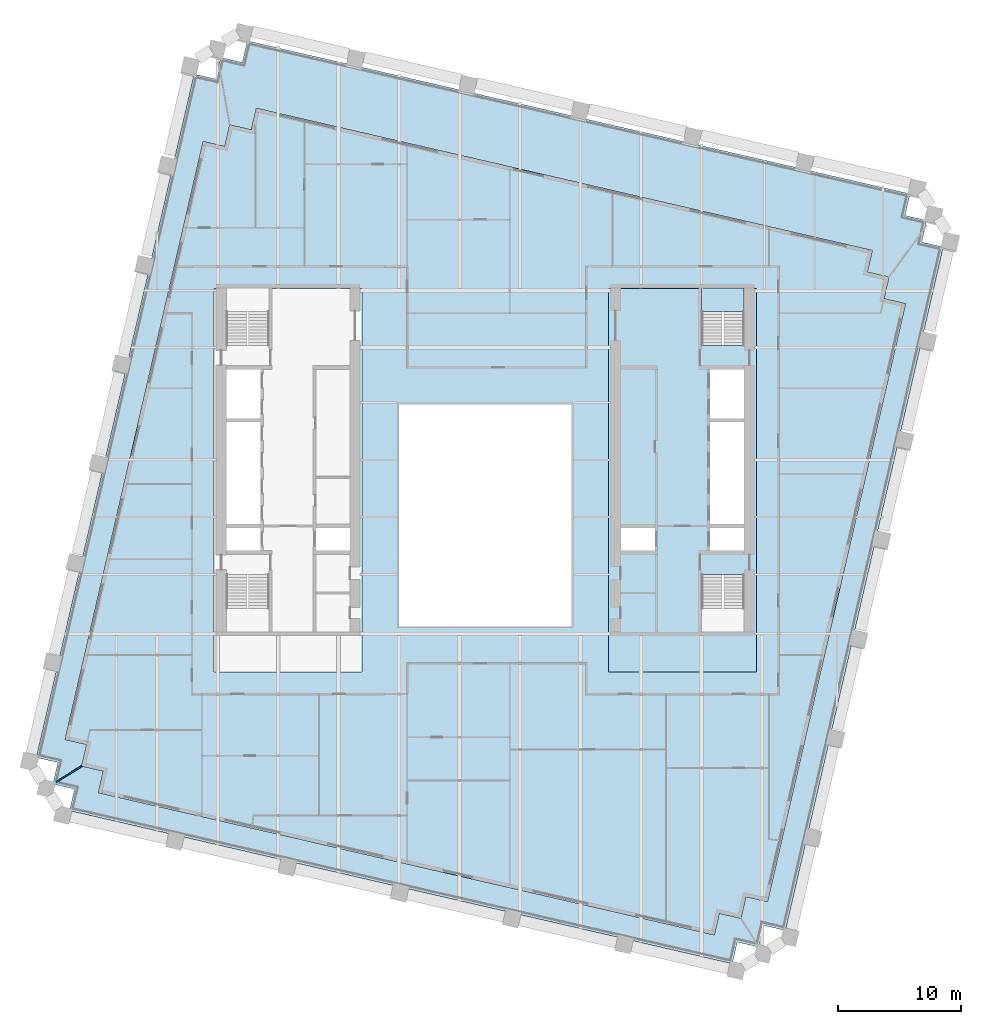
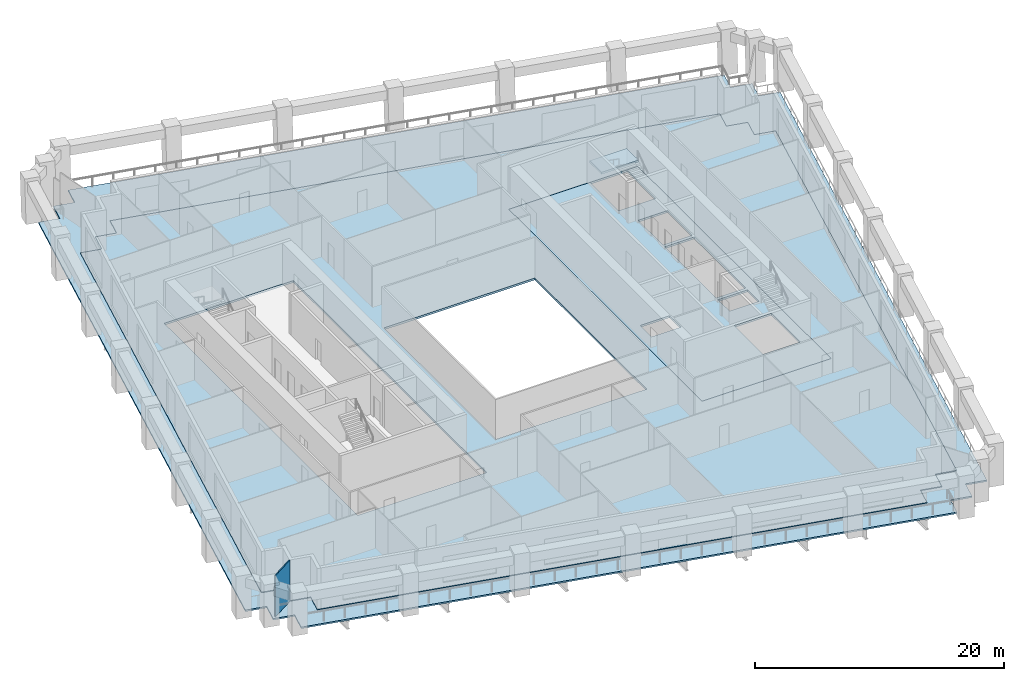
# One storey, part 3 of 11: 4 slabs, 1 wall, 1 element without a shape of its own.
"""IFC4 building model written with IfcOpenShell, lengths in metres."""

from ifc_helpers import new_model, si_unit, direction, frame, frame_2d, origin, place, context, subcontext, project, spatial, polyline, rectangle, outline, extrude, material, layer, layer_set, type_object, element, aggregate, save


model = new_model("IFC4")

# Units and contexts
model_context = context("Model", 3, precision=1e-05, world=origin(), true_north=direction((0.0, 1.0)))
body_context = subcontext(model_context, "Body", "Model", "MODEL_VIEW")
ifc_project = project(units=[si_unit("LENGTHUNIT", "METRE"), si_unit("AREAUNIT", "SQUARE_METRE"), si_unit("VOLUMEUNIT", "CUBIC_METRE"), si_unit("PLANEANGLEUNIT", "RADIAN"), si_unit("MASSUNIT", "GRAM", prefix="KILO")], contexts=[model_context])

# Site, building, storey
site_placement = place(None, origin())
site = spatial("IfcSite", under=ifc_project, at=site_placement, CompositionType="ELEMENT")
building_placement = place(site_placement, origin())
building = spatial("IfcBuilding", under=site, at=building_placement, Name="Ogive Exchange Tower", CompositionType="ELEMENT")
storey_placement = place(building_placement, frame((0.0, 0.0, 135.0)))
storey = spatial("IfcBuildingStorey", under=building, at=storey_placement, Name="L29", CompositionType="ELEMENT", Elevation=135.0)

# Slabs
ifc_material_1 = material(Name="Concrete C50/60", Category="concrete")
ifc_layer_1 = layer(ifc_material_1, 0.199951171875)
ifc_layer_set_1 = layer_set([ifc_layer_1], Name="Composite floor slab 200")
slab_type_1 = type_object("IfcSlabType", Name="Composite floor slab 200", PredefinedType="FLOOR", material=ifc_layer_set_1)
slab_1_placement = place(storey_placement, frame((0.0, 0.0, -0.199951171875)))
element("IfcSlab", 1, at=slab_1_placement, inside=storey, type_object=slab_type_1, Name="Composite floor slab", PredefinedType="FLOOR", context=body_context, shape_type="SweptSolid", body=[
    extrude(outline(polyline([(-30.998779296875, -13.74560546875), (-32.752685546875, -13.3408203125), (-32.34765625, -11.5869140625), (-34.1015625, -11.181884765625), (-22.89892578125, 37.341552734375), (-21.145263671875, 36.936767578125), (-20.740234375, 38.690673828125), (-18.986328125, 38.28564453125), (-18.58154296875, 40.03955078125), (31.40380859375, 28.49951171875), (30.998779296875, 26.74560546875), (32.752685546875, 26.3408203125), (32.34765625, 24.5869140625), (34.1015625, 24.181884765625), (22.89892578125, -24.341552734375), (21.145263671875, -23.936767578125), (20.740234375, -25.690673828125), (18.986328125, -25.28564453125), (18.58154296875, -27.03955078125), (-31.40380859375, -15.49951171875), (-30.998779296875, -13.74560546875)]), holes=[polyline([(7.0, -2.0), (7.0, 16.0), (-7.0, 16.0), (-7.0, -2.0), (7.0, -2.0)]), polyline([(-22.0, -5.699951171875), (-10.0, -5.699951171875), (-10.0, 25.39990234375), (-22.0, 25.39990234375), (-22.0, -5.699951171875)]), polyline([(10.0, -5.699951171875), (22.0, -5.699951171875), (22.0, 25.39990234375), (10.0, 25.39990234375), (10.0, -5.699951171875)])]), origin(), (0.0, 0.0, 1.0), 0.199951171875),
])
ifc_material_2 = material(Name="Concrete C70/85", Category="concrete")
ifc_layer_2 = layer(ifc_material_2, 0.199951171875)
ifc_layer_set_2 = layer_set([ifc_layer_2], Name="Core floor slab 200")
slab_type_2 = type_object("IfcSlabType", Name="Core floor slab 200", PredefinedType="FLOOR", material=ifc_layer_set_2)
slab_2_placement = place(storey_placement, frame((0.0, 0.0, -0.199951171875)))
element("IfcSlab", 2, at=slab_2_placement, inside=storey, type_object=slab_type_2, Name="Core floor slab", PredefinedType="FLOOR", context=body_context, shape_type="SweptSolid", body=[
    extrude(outline(polyline([(22.0, 25.39990234375), (22.0, -5.699951171875), (10.0, -5.699951171875), (10.0, 25.39990234375), (17.550048828125, 25.39990234375), (17.550048828125, 20.803955078125), (21.0, 20.803955078125), (21.0, 25.39990234375), (22.0, 25.39990234375)]), holes=[polyline([(21.0, 2.196044921875), (17.550048828125, 2.196044921875), (17.550048828125, -2.449951171875), (21.0, -2.449951171875), (21.0, 2.196044921875)]), polyline([(13.75, 5.992919921875), (11.0, 5.992919921875), (11.0, 4.14990234375), (13.75, 4.14990234375), (13.75, 5.992919921875)]), polyline([(21.0, 5.992919921875), (18.25, 5.992919921875), (18.25, 4.14990234375), (21.0, 4.14990234375), (21.0, 5.992919921875)]), polyline([(18.25, 14.564208984375), (18.25, 6.29296875), (21.0, 6.29296875), (21.0, 14.564208984375), (18.25, 14.564208984375)]), polyline([(21.0, 18.85009765625), (18.25, 18.85009765625), (18.25, 14.8642578125), (21.0, 14.8642578125), (21.0, 18.85009765625)])]), origin(), (0.0, 0.0, 1.0), 0.199951171875),
])
ifc_layer_3 = layer(ifc_material_1, 0.14990234375)
ifc_layer_set_3 = layer_set([ifc_layer_3], Name="Loggia deck 150")
slab_type_3 = type_object("IfcSlabType", Name="Loggia deck 150", PredefinedType="FLOOR", material=ifc_layer_set_3)
slab_3_placement = place(storey_placement, frame((0.0, 0.0, -0.199951171875)))
element("IfcSlab", 3, at=slab_3_placement, inside=storey, type_object=slab_type_3, Name="Loggia deck", PredefinedType="FLOOR", context=body_context, shape_type="SweptSolid", body=[
    extrude(outline(polyline([(-33.33740234375, -15.20703125), (-35.09130859375, -14.802001953125), (-34.686279296875, -13.04833984375), (-36.440185546875, -12.643310546875), (-23.636474609375, 42.81591796875), (-21.882568359375, 42.4111328125), (-21.477783203125, 44.1650390625), (-19.723876953125, 43.760009765625), (-19.31884765625, 45.513916015625), (34.46630859375, 33.0966796875), (34.061279296875, 31.3427734375), (35.815185546875, 30.937744140625), (35.410400390625, 29.18408203125), (37.164306640625, 28.779052734375), (24.3603515625, -26.680419921875), (22.6064453125, -26.275390625), (22.20166015625, -28.029296875), (20.44775390625, -27.62451171875), (20.04296875, -29.378173828125), (-33.742431640625, -16.9609375), (-33.33740234375, -15.20703125)]), holes=[polyline([(18.986328125, -25.28564453125), (20.740234375, -25.690673828125), (21.145263671875, -23.936767578125), (22.89892578125, -24.341552734375), (34.1015625, 24.181884765625), (32.34765625, 24.5869140625), (32.752685546875, 26.3408203125), (30.998779296875, 26.74560546875), (31.40380859375, 28.49951171875), (-18.58154296875, 40.03955078125), (-18.986328125, 38.28564453125), (-20.740234375, 38.690673828125), (-21.145263671875, 36.936767578125), (-22.89892578125, 37.341552734375), (-34.1015625, -11.181884765625), (-32.34765625, -11.5869140625), (-32.752685546875, -13.3408203125), (-30.998779296875, -13.74560546875), (-31.40380859375, -15.49951171875), (18.58154296875, -27.03955078125), (18.986328125, -25.28564453125)])]), origin(), (0.0, 0.0, 1.0), 0.14990234375),
])

# Stair, slab
ifc_material_3 = material(Name="Concrete C40/50", Category="concrete")
stair_type = type_object("IfcStairType", Name="Exit stair 1650 wide", PredefinedType="HALF_TURN_STAIR", material=ifc_material_3)
stair_placement = place(storey_placement, origin())
stair = element("IfcStair", 4, at=stair_placement, inside=storey, type_object=stair_type, Name="L29 exit stair ST4", PredefinedType="HALF_TURN_STAIR")
ifc_layer_4 = layer(ifc_material_3, 0.199951171875)
ifc_layer_set_4 = layer_set([ifc_layer_4], Name="Stair landing 200 slab")
slab_type_4 = type_object("IfcSlabType", Name="Stair landing 200 slab", PredefinedType="LANDING", material=ifc_layer_set_4)
slab_4_placement = place(storey_placement, frame((0.0, 0.0, 1.89990234375)))
slab_4 = element("IfcSlab", 5, at=slab_4_placement, type_object=slab_type_4, Name="ST4 landing 1", PredefinedType="LANDING", context=body_context, shape_type="SweptSolid", body=[
    extrude(outline(polyline([(21.0, 23.550048828125), (21.0, 25.449951171875), (17.550048828125, 25.449951171875), (17.550048828125, 23.550048828125), (21.0, 23.550048828125)])), origin(), (0.0, 0.0, 1.0), 0.2001953125),
])
aggregate(stair, [slab_4])

# Wall
ifc_material_4 = material(Name="Laminated safety glass in steel frame", Category="steel")
ifc_layer_5 = layer(ifc_material_4, 0.10009765625)
ifc_layer_set_5 = layer_set([ifc_layer_5], Name="Loggia end screen 100")
wall_type = type_object("IfcWallType", Name="Loggia end screen 100", PredefinedType="STANDARD", material=ifc_layer_set_5)
wall_placement = place(storey_placement, frame((-32.752685546875, -13.3408203125, -0.050048828125), z_axis=(0.0, 0.0, 1.0), x_axis=(-0.848059759764, -0.529900598103, 0.0)))
element("IfcWall", 6, at=wall_placement, inside=storey, type_object=wall_type, Name="Loggia end screen C4", PredefinedType="STANDARD", context=body_context, shape_type="SweptSolid", body=[
    extrude(rectangle(XDim=2.454833984375, YDim=0.10009765625, at=frame_2d((1.2275390625, 0.0))), origin(), (0.0, 0.0, 1.0), 4.050048828125),
])

save(model, "model.ifc")
